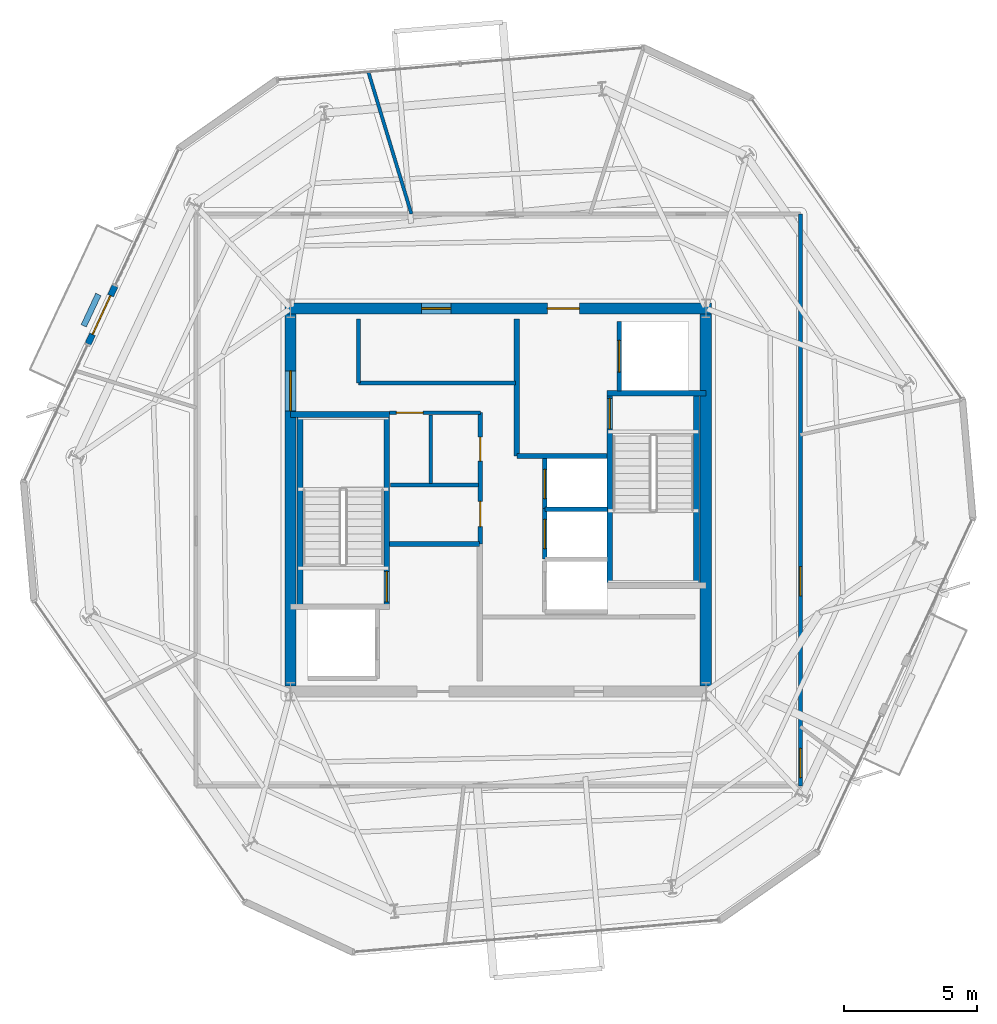
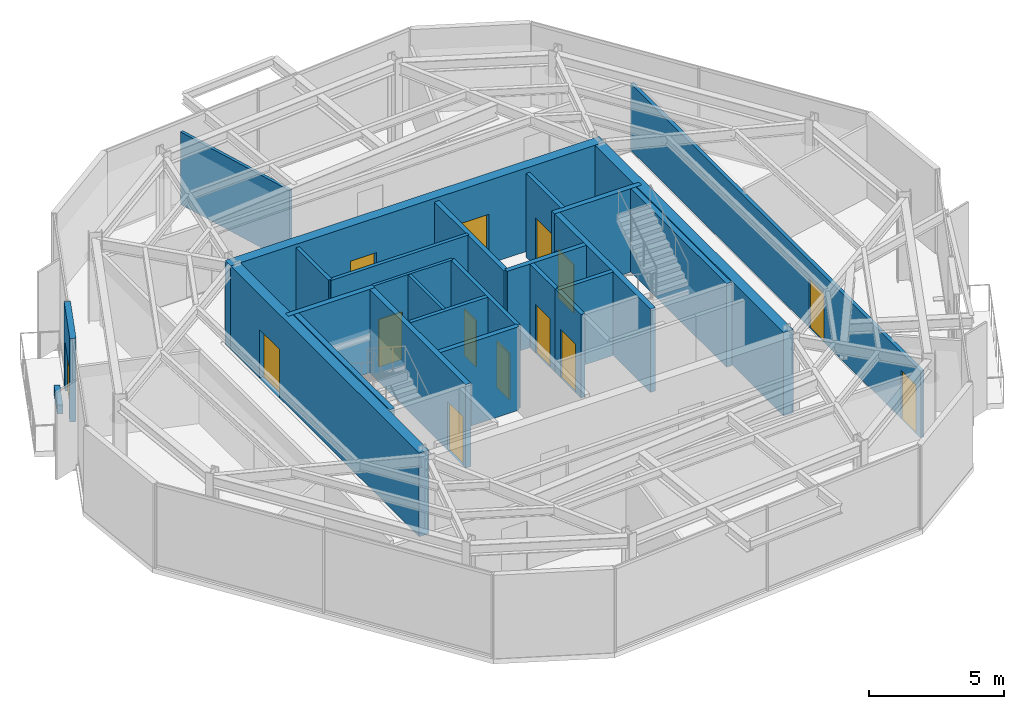
# One storey, part 6 of 11: 26 walls, 14 doors, 14 openings.
"""IFC4 building model written with IfcOpenShell, lengths in metres."""

from ifc_helpers import new_model, si_unit, direction, frame, frame_2d, origin, place, context, subcontext, project, spatial, rectangle, extrude, material, layer, layer_set, type_object, element, fill, save


model = new_model("IFC4")

# Units and contexts
model_context = context("Model", 3, precision=1e-05, world=origin(), true_north=direction((0.0, 1.0)))
body_context = subcontext(model_context, "Body", "Model", "MODEL_VIEW")
ifc_project = project(units=[si_unit("LENGTHUNIT", "METRE"), si_unit("AREAUNIT", "SQUARE_METRE"), si_unit("VOLUMEUNIT", "CUBIC_METRE"), si_unit("PLANEANGLEUNIT", "RADIAN"), si_unit("MASSUNIT", "GRAM", prefix="KILO")], contexts=[model_context])

# Site, building, storey
site_placement = place(None, origin())
site = spatial("IfcSite", under=ifc_project, at=site_placement, CompositionType="ELEMENT")
building_placement = place(site_placement, origin())
building = spatial("IfcBuilding", under=site, at=building_placement, Name="Kranzbogen Civic Tower", CompositionType="ELEMENT")
storey_placement = place(building_placement, frame((0.0, 0.0, 286.199951171875)))
storey = spatial("IfcBuildingStorey", under=building, at=storey_placement, Name="L69", CompositionType="ELEMENT", Elevation=286.199951171875)

# Walls
ifc_material_1 = material(Name="Double-Stud Acoustic Gypsum Partition")
ifc_layer_1 = layer(ifc_material_1, 0.14990234375, Name="Double-Stud Acoustic Gypsum Partition")
ifc_layer_set_1 = layer_set([ifc_layer_1], Name="Double-Stud Acoustic Gypsum Partition")
wall_type_1 = type_object("IfcWallType", Name="Acoustic Corridor and Clinical Partition 150 mm", PredefinedType="PARTITIONING", material=ifc_layer_set_1)
wall_1_placement = place(storey_placement, frame((19.75, 29.389892578125, 0.0), z_axis=(0.0, 0.0, 1.0), x_axis=(1.0, 0.0, 0.0)))
element("IfcWall", 1, at=wall_1_placement, inside=storey, type_object=wall_type_1, Name="L69 digital comms South wall", PredefinedType="PARTITIONING", context=body_context, shape_type="SweptSolid", body=[
    extrude(rectangle(XDim=5.89990234375, YDim=0.14990234375, at=frame_2d((2.949951171875, 0.0))), origin(), (0.0, 0.0, 1.0), 3.780029296875),
])
wall_2_placement = place(storey_placement, frame((19.75, 29.389892578125, 0.0), z_axis=(0.0, 0.0, 1.0), x_axis=(0.0, 1.0, 0.0)))
element("IfcWall", 2, at=wall_2_placement, inside=storey, type_object=wall_type_1, Name="L69 digital comms West wall", PredefinedType="PARTITIONING", context=body_context, shape_type="SweptSolid", body=[
    extrude(rectangle(XDim=2.41015625, YDim=0.14990234375, at=frame_2d((1.205078125, 0.0))), origin(), (0.0, 0.0, 1.0), 3.780029296875),
])

# Wall, openings, doors
wall_3_placement = place(storey_placement, frame((36.35009765625, 35.75, 0.0), z_axis=(0.0, 0.0, 1.0), x_axis=(0.0, -1.0, 0.0)))
wall_3 = element("IfcWall", 3, at=wall_3_placement, inside=storey, type_object=wall_type_1, Name="L69 corridor partition 02", PredefinedType="PARTITIONING", context=body_context, shape_type="SweptSolid", body=[
    extrude(rectangle(XDim=21.5, YDim=0.14990234375, at=frame_2d((10.75, 0.0))), origin(), (0.0, 0.0, 1.0), 3.02001953125),
])
opening_1_placement = place(wall_3_placement, frame((20.080078125, 0.0, 0.0)))
opening_1 = element("IfcOpeningElement", 4, at=opening_1_placement, cuts=wall_3, Name="Opening D-COR60", PredefinedType="OPENING", context=body_context, shape_type="SweptSolid", body=[
    extrude(rectangle(XDim=1.10009765625, YDim=2.199951171875, at=frame_2d((0.550048828125, 1.10009765625))), frame((0.0, 0.0849609375, 0.0), z_axis=(0.0, -1.0, 0.0), x_axis=(1.0, 0.0, 0.0)), (0.0, 0.0, 1.0), 0.169921875),
])
opening_2_placement = place(wall_3_placement, frame((13.256103515625, 0.0, 0.0)))
opening_2 = element("IfcOpeningElement", 5, at=opening_2_placement, cuts=wall_3, Name="Opening D-COR60", PredefinedType="OPENING", context=body_context, shape_type="SweptSolid", body=[
    extrude(rectangle(XDim=1.10009765625, YDim=2.199951171875, at=frame_2d((0.550048828125, 1.10009765625))), frame((0.0, 0.0849609375, 0.0), z_axis=(0.0, -1.0, 0.0), x_axis=(1.0, 0.0, 0.0)), (0.0, 0.0, 1.0), 0.169921875),
])
ifc_material_2 = material(Name="Oak Timber and Fire Core", Category="wood")
door_type_1 = type_object("IfcDoorType", Name="Corridor Acoustic Fire Door 1100x2200", OperationType="NOTDEFINED", PredefinedType="DOOR", material=ifc_material_2)
door_1_placement = place(opening_1_placement, origin())
door_1 = element("IfcDoor", 6, at=door_1_placement, inside=storey, type_object=door_type_1, Name="L69 Licensing Information Kiosk door", OperationType="SINGLE_SWING_RIGHT", OverallHeight=2.199951171875, OverallWidth=1.10009765625, PredefinedType="DOOR", context=body_context, shape_type="SweptSolid", body=[
    extrude(rectangle(XDim=1.10009765625, YDim=2.199951171875, at=frame_2d((0.550048828125, 1.10009765625))), frame((0.0, 0.02490234375, 0.0), z_axis=(0.0, -1.0, 0.0), x_axis=(1.0, 0.0, 0.0)), (0.0, 0.0, 1.0), 0.050048828125),
])
fill(opening_1, door_1)
door_2_placement = place(opening_2_placement, origin())
door_2 = element("IfcDoor", 7, at=door_2_placement, inside=storey, type_object=door_type_1, Name="L69 Staff Tea Pantry door", OperationType="SINGLE_SWING_LEFT", OverallHeight=2.199951171875, OverallWidth=1.10009765625, PredefinedType="DOOR", context=body_context, shape_type="SweptSolid", body=[
    extrude(rectangle(XDim=1.10009765625, YDim=2.199951171875, at=frame_2d((0.550048828125, 1.10009765625))), frame((0.0, 0.02490234375, 0.0), z_axis=(0.0, -1.0, 0.0), x_axis=(1.0, 0.0, 0.0)), (0.0, 0.0, 1.0), 0.050048828125),
])
fill(opening_2, door_2)

# Wall, opening, door
ifc_material_3 = material(Name="Insulated Metal-Stud Gypsum Partition")
ifc_layer_2 = layer(ifc_material_3, 0.125, Name="Insulated Metal-Stud Gypsum Partition")
ifc_layer_set_2 = layer_set([ifc_layer_2], Name="Insulated Metal-Stud Gypsum Partition")
wall_type_2 = type_object("IfcWallType", Name="Acoustic Inter-Room Partition 125 mm", PredefinedType="PARTITIONING", material=ifc_layer_set_2)
wall_4_placement = place(storey_placement, frame((20.919921875, 28.280029296875, 0.0), z_axis=(0.0, 0.0, 1.0), x_axis=(1.0, 0.0, 0.0)))
wall_4 = element("IfcWall", 8, at=wall_4_placement, inside=storey, type_object=wall_type_2, Name="L69 core auxiliary North wall", PredefinedType="PARTITIONING", context=body_context, shape_type="SweptSolid", body=[
    extrude(rectangle(XDim=3.405029296875, YDim=0.125, at=frame_2d((1.70263671875, 0.0))), origin(), (0.0, 0.0, 1.0), 3.780029296875),
])
opening_3_placement = place(wall_4_placement, frame((0.2548828125, 0.0, 0.0)))
opening_3 = element("IfcOpeningElement", 9, at=opening_3_placement, cuts=wall_4, Name="Opening D-RSR10", PredefinedType="OPENING", context=body_context, shape_type="SweptSolid", body=[
    extrude(rectangle(XDim=1.0, YDim=2.14990234375, at=frame_2d((0.5, 1.074951171875))), frame((0.0, 0.072509765625, 0.0), z_axis=(0.0, -1.0, 0.0), x_axis=(1.0, 0.0, 0.0)), (0.0, 0.0, 1.0), 0.14501953125),
])
door_type_2 = type_object("IfcDoorType", Name="Core Archive and Riser Fire Door 1000x2150", OperationType="NOTDEFINED", PredefinedType="DOOR", material=ifc_material_2)
door_3_placement = place(opening_3_placement, origin())
door_3 = element("IfcDoor", 10, at=door_3_placement, inside=storey, type_object=door_type_2, Name="L69 Telecom and Riser Room door", OperationType="SINGLE_SWING_RIGHT", OverallHeight=2.14990234375, OverallWidth=1.0, PredefinedType="DOOR", context=body_context, shape_type="SweptSolid", body=[
    extrude(rectangle(XDim=1.0, YDim=2.14990234375, at=frame_2d((0.5, 1.074951171875))), frame((0.0, 0.02490234375, 0.0), z_axis=(0.0, -1.0, 0.0), x_axis=(1.0, 0.0, 0.0)), (0.0, 0.0, 1.0), 0.050048828125),
])
fill(opening_3, door_3)

# Walls
wall_5_placement = place(storey_placement, frame((22.4599609375, 25.6201171875, 0.0), z_axis=(0.0, 0.0, 1.0), x_axis=(0.0, 1.0, 0.0)))
element("IfcWall", 11, at=wall_5_placement, inside=storey, type_object=wall_type_2, Name="L69 core auxiliary partition 2", PredefinedType="PARTITIONING", context=body_context, shape_type="SweptSolid", body=[
    extrude(rectangle(XDim=2.579833984375, YDim=0.125, at=frame_2d((1.2900390625, 0.0))), origin(), (0.0, 0.0, 1.0), 3.780029296875),
])
wall_6_placement = place(storey_placement, frame((21.738037109375, 35.75, 0.0), z_axis=(0.0, 0.0, 1.0), x_axis=(-0.290201338229, 0.956965612387, 0.0)))
element("IfcWall", 12, at=wall_6_placement, inside=storey, type_object=wall_type_2, Name="L69 radial room partition 01", PredefinedType="PARTITIONING", context=body_context, shape_type="SweptSolid", body=[
    extrude(rectangle(XDim=5.554931640625, YDim=0.125, at=frame_2d((2.77734375, 0.0))), origin(), (0.0, 0.0, 1.0), 3.280029296875),
])
ifc_material_4 = material(Name="Architectural Precast Terracotta Concrete C40/50", Category="masonry")
ifc_layer_3 = layer(ifc_material_4, 0.219970703125, Name="Architectural Precast Terracotta Concrete C40/50")
ifc_layer_set_3 = layer_set([ifc_layer_3], Name="Architectural Precast Terracotta Concrete C40/50")
wall_type_3 = type_object("IfcWallType", Name="Architectural Tree Planter Kerb Wall 220 mm", PredefinedType="USERDEFINED", material=ifc_layer_set_3)
wall_7_placement = place(storey_placement, frame((9.97705078125, 32.722900390625, 0.0), z_axis=(0.0, 0.0, 1.0), x_axis=(-0.423091064029, -0.90608716553, 0.0)))
element("IfcWall", 13, at=wall_7_placement, inside=storey, type_object=wall_type_3, Name="L69 landscaped tree balcony planter L69-TB2", ObjectType="PLANTER_WALL", PredefinedType="USERDEFINED", context=body_context, shape_type="SweptSolid", body=[
    extrude(rectangle(XDim=1.300048828125, YDim=0.219970703125, at=frame_2d((0.64990234375, 0.0))), origin(), (0.0, 0.0, 1.0), 0.400146484375),
])

# Wall, openings, doors
ifc_material_5 = material(Name="Concrete C45/55", Category="concrete")
ifc_layer_4 = layer(ifc_material_5, 0.419921875, Name="Concrete C45/55")
ifc_layer_set_4 = layer_set([ifc_layer_4], Name="Concrete C45/55")
wall_type_4 = type_object("IfcWallType", Name="Central Core Shear Wall 420 mm", PredefinedType="SHEAR", material=ifc_layer_set_4)
wall_8_placement = place(storey_placement, frame((33.010009765625, 32.199951171875, 0.0), z_axis=(0.0, 0.0, 1.0), x_axis=(-1.0, 0.0, 0.0)))
wall_8 = element("IfcWall", 14, at=wall_8_placement, inside=storey, type_object=wall_type_4, Name="L69 central core North shear wall", PredefinedType="SHEAR", context=body_context, shape_type="SweptSolid", body=[
    extrude(rectangle(XDim=16.02001953125, YDim=0.419921875, at=frame_2d((8.010009765625, 0.0))), origin(), (0.0, 0.0, 1.0), 3.780029296875),
])
opening_4_placement = place(wall_8_placement, frame((4.9599609375, 0.0, 0.0)))
opening_4 = element("IfcOpeningElement", 15, at=opening_4_placement, cuts=wall_8, Name="Opening D-EX120", PredefinedType="OPENING", context=body_context, shape_type="SweptSolid", body=[
    extrude(rectangle(XDim=1.199951171875, YDim=2.25, at=frame_2d((0.60009765625, 1.125))), frame((0.0, 0.219970703125, 0.0), z_axis=(0.0, -1.0, 0.0), x_axis=(1.0, 0.0, 0.0)), (0.0, 0.0, 1.0), 0.43994140625),
])
opening_5_placement = place(wall_8_placement, frame((9.784912109375, 0.0, 0.0)))
opening_5 = element("IfcOpeningElement", 16, at=opening_5_placement, cuts=wall_8, Name="Opening D-COR60", PredefinedType="OPENING", context=body_context, shape_type="SweptSolid", body=[
    extrude(rectangle(XDim=1.10009765625, YDim=2.199951171875, at=frame_2d((0.550048828125, 1.10009765625))), frame((0.0, 0.219970703125, 0.0), z_axis=(0.0, -1.0, 0.0), x_axis=(1.0, 0.0, 0.0)), (0.0, 0.0, 1.0), 0.43994140625),
])
door_4_placement = place(opening_5_placement, origin())
door_4 = element("IfcDoor", 17, at=door_4_placement, inside=storey, type_object=door_type_1, Name="L69 DAT1 comms room door", OperationType="SINGLE_SWING_LEFT", OverallHeight=2.199951171875, OverallWidth=1.10009765625, PredefinedType="DOOR", context=body_context, shape_type="SweptSolid", body=[
    extrude(rectangle(XDim=1.10009765625, YDim=2.199951171875, at=frame_2d((0.550048828125, 1.10009765625))), frame((0.0, 0.02490234375, 0.0), z_axis=(0.0, -1.0, 0.0), x_axis=(1.0, 0.0, 0.0)), (0.0, 0.0, 1.0), 0.050048828125),
])
fill(opening_5, door_4)
ifc_material_6 = material(Name="Steel S355", Category="steel")
door_type_3 = type_object("IfcDoorType", Name="Exit Passageway Fire Door 1200x2250", OperationType="NOTDEFINED", PredefinedType="DOOR", material=ifc_material_6)
door_5_placement = place(opening_4_placement, origin())
door_5 = element("IfcDoor", 18, at=door_5_placement, inside=storey, type_object=door_type_3, Name="L69 East firefighting lobby corridor door", OperationType="SINGLE_SWING_RIGHT", OverallHeight=2.25, OverallWidth=1.199951171875, PredefinedType="DOOR", context=body_context, shape_type="SweptSolid", body=[
    extrude(rectangle(XDim=1.199951171875, YDim=2.25, at=frame_2d((0.60009765625, 1.125))), frame((0.0, 0.02490234375, 0.0), z_axis=(0.0, -1.0, 0.0), x_axis=(1.0, 0.0, 0.0)), (0.0, 0.0, 1.0), 0.050048828125),
])
fill(opening_4, door_5)

# Wall, opening, door
wall_9_placement = place(storey_placement, frame((17.199951171875, 31.989990234375, 0.0), z_axis=(0.0, 0.0, 1.0), x_axis=(0.0, -1.0, 0.0)))
wall_9 = element("IfcWall", 19, at=wall_9_placement, inside=storey, type_object=wall_type_4, Name="L69 central core West shear wall", PredefinedType="SHEAR", context=body_context, shape_type="SweptSolid", body=[
    extrude(rectangle(XDim=13.97998046875, YDim=0.419921875, at=frame_2d((6.989990234375, 0.0))), origin(), (0.0, 0.0, 1.0), 3.780029296875),
])
opening_6_placement = place(wall_9_placement, frame((2.139892578125, 0.0, 0.0)))
opening_6 = element("IfcOpeningElement", 20, at=opening_6_placement, cuts=wall_9, Name="Opening D-DBL15", PredefinedType="OPENING", context=body_context, shape_type="SweptSolid", body=[
    extrude(rectangle(XDim=1.5, YDim=2.199951171875, at=frame_2d((0.75, 1.10009765625))), frame((0.0, 0.219970703125, 0.0), z_axis=(0.0, -1.0, 0.0), x_axis=(1.0, 0.0, 0.0)), (0.0, 0.0, 1.0), 0.43994140625),
])
ifc_material_7 = material(Name="Anodised Bronze and Glass", Category="glass")
door_type_4 = type_object("IfcDoorType", Name="Civic Lobby Double Door 1500x2200", OperationType="DOUBLE_DOOR_SINGLE_SWING", PredefinedType="DOOR", material=ifc_material_7)
door_6_placement = place(opening_6_placement, origin())
door_6 = element("IfcDoor", 21, at=door_6_placement, inside=storey, type_object=door_type_4, Name="L69 Central Lift Lobby West concourse door", OperationType="DOUBLE_DOOR_SINGLE_SWING", OverallHeight=2.199951171875, OverallWidth=1.5, PredefinedType="DOOR", context=body_context, shape_type="SweptSolid", body=[
    extrude(rectangle(XDim=1.5, YDim=2.199951171875, at=frame_2d((0.75, 1.10009765625))), frame((0.0, 0.02490234375, 0.0), z_axis=(0.0, -1.0, 0.0), x_axis=(1.0, 0.0, 0.0)), (0.0, 0.0, 1.0), 0.050048828125),
])
fill(opening_6, door_6)

# Wall
wall_10_placement = place(storey_placement, frame((32.800048828125, 18.010009765625, 0.0), z_axis=(0.0, 0.0, 1.0), x_axis=(0.0, 1.0, 0.0)))
element("IfcWall", 22, at=wall_10_placement, inside=storey, type_object=wall_type_4, Name="L69 central core East shear wall", PredefinedType="SHEAR", context=body_context, shape_type="SweptSolid", body=[
    extrude(rectangle(XDim=13.97998046875, YDim=0.419921875, at=frame_2d((6.989990234375, 0.0))), origin(), (0.0, 0.0, 1.0), 3.780029296875),
])

# Wall, opening, door
ifc_layer_5 = layer(ifc_material_5, 0.219970703125, Name="Concrete C45/55")
ifc_layer_set_5 = layer_set([ifc_layer_5], Name="Concrete C45/55")
wall_type_5 = type_object("IfcWallType", Name="Core Internal Stair Structural Wall 220 mm", PredefinedType="SOLIDWALL", material=ifc_layer_set_5)
wall_11_placement = place(storey_placement, frame((20.81005859375, 20.989990234375, 0.0), z_axis=(0.0, 0.0, 1.0), x_axis=(0.0, 1.0, 0.0)))
wall_11 = element("IfcWall", 23, at=wall_11_placement, inside=storey, type_object=wall_type_5, Name="L69 ST-T1 East structural stair wall", PredefinedType="SOLIDWALL", context=body_context, shape_type="SweptSolid", body=[
    extrude(rectangle(XDim=7.219970703125, YDim=0.219970703125, at=frame_2d((3.60986328125, 0.0))), origin(), (0.0, 0.0, 1.0), 3.780029296875),
])
opening_7_placement = place(wall_11_placement, frame((0.179931640625, 0.0, 0.0)))
opening_7 = element("IfcOpeningElement", 24, at=opening_7_placement, cuts=wall_11, Name="Opening D-ST90", PredefinedType="OPENING", context=body_context, shape_type="SweptSolid", body=[
    extrude(rectangle(XDim=1.14990234375, YDim=2.199951171875, at=frame_2d((0.574951171875, 1.10009765625))), frame((0.0, 0.1201171875, 0.0), z_axis=(0.0, -1.0, 0.0), x_axis=(1.0, 0.0, 0.0)), (0.0, 0.0, 1.0), 0.239990234375),
])
door_type_5 = type_object("IfcDoorType", Name="Pressurized Stair and Lobby Fire Door 1150x2200", OperationType="NOTDEFINED", PredefinedType="DOOR", material=ifc_material_6)
door_7_placement = place(opening_7_placement, origin())
door_7 = element("IfcDoor", 25, at=door_7_placement, inside=storey, type_object=door_type_5, Name="L69 Stair ST-T1 fire door", OperationType="SINGLE_SWING_LEFT", OverallHeight=2.199951171875, OverallWidth=1.14990234375, PredefinedType="DOOR", context=body_context, shape_type="SweptSolid", body=[
    extrude(rectangle(XDim=1.14990234375, YDim=2.199951171875, at=frame_2d((0.574951171875, 1.10009765625))), frame((0.0, 0.02490234375, 0.0), z_axis=(0.0, -1.0, 0.0), x_axis=(1.0, 0.0, 0.0)), (0.0, 0.0, 1.0), 0.050048828125),
])
fill(opening_7, door_7)

# Walls
wall_12_placement = place(storey_placement, frame((17.199951171875, 28.2099609375, 0.0), z_axis=(0.0, 0.0, 1.0), x_axis=(1.0, 0.0, 0.0)))
element("IfcWall", 26, at=wall_12_placement, inside=storey, type_object=wall_type_5, Name="L69 ST-T1 North structural stair wall", PredefinedType="SOLIDWALL", context=body_context, shape_type="SweptSolid", body=[
    extrude(rectangle(XDim=3.719970703125, YDim=0.219970703125, at=frame_2d((1.85986328125, 0.0))), origin(), (0.0, 0.0, 1.0), 3.780029296875),
])
wall_13_placement = place(storey_placement, frame((17.554931640625, 28.2099609375, 0.0), z_axis=(0.0, 0.0, 1.0), x_axis=(0.0, -1.0, 0.0)))
element("IfcWall", 27, at=wall_13_placement, inside=storey, type_object=wall_type_5, Name="L69 ST-T1 West structural stair wall", PredefinedType="SOLIDWALL", context=body_context, shape_type="SweptSolid", body=[
    extrude(rectangle(XDim=7.219970703125, YDim=0.219970703125, at=frame_2d((3.60986328125, 0.0))), origin(), (0.0, 0.0, 1.0), 3.780029296875),
])

# Wall, opening, door
wall_14_placement = place(storey_placement, frame((29.18994140625, 21.7900390625, 0.0), z_axis=(0.0, 0.0, 1.0), x_axis=(0.0, 1.0, 0.0)))
wall_14 = element("IfcWall", 28, at=wall_14_placement, inside=storey, type_object=wall_type_5, Name="L69 ST-T2 West structural stair wall", PredefinedType="SOLIDWALL", context=body_context, shape_type="SweptSolid", body=[
    extrude(rectangle(XDim=7.219970703125, YDim=0.219970703125, at=frame_2d((3.60986328125, 0.0))), origin(), (0.0, 0.0, 1.0), 3.780029296875),
])
opening_8_placement = place(wall_14_placement, frame((5.8798828125, 0.0, 0.0)))
opening_8 = element("IfcOpeningElement", 29, at=opening_8_placement, cuts=wall_14, Name="Opening D-ST90", PredefinedType="OPENING", context=body_context, shape_type="SweptSolid", body=[
    extrude(rectangle(XDim=1.14990234375, YDim=2.199951171875, at=frame_2d((0.574951171875, 1.10009765625))), frame((0.0, 0.1201171875, 0.0), z_axis=(0.0, -1.0, 0.0), x_axis=(1.0, 0.0, 0.0)), (0.0, 0.0, 1.0), 0.239990234375),
])
door_8_placement = place(opening_8_placement, origin())
door_8 = element("IfcDoor", 30, at=door_8_placement, inside=storey, type_object=door_type_5, Name="L69 Stair ST-T2 fire door", OperationType="SINGLE_SWING_RIGHT", OverallHeight=2.199951171875, OverallWidth=1.14990234375, PredefinedType="DOOR", context=body_context, shape_type="SweptSolid", body=[
    extrude(rectangle(XDim=1.14990234375, YDim=2.199951171875, at=frame_2d((0.574951171875, 1.10009765625))), frame((0.0, 0.02490234375, 0.0), z_axis=(0.0, -1.0, 0.0), x_axis=(1.0, 0.0, 0.0)), (0.0, 0.0, 1.0), 0.050048828125),
])
fill(opening_8, door_8)

# Walls
wall_15_placement = place(storey_placement, frame((29.080078125, 29.010009765625, 0.0), z_axis=(0.0, 0.0, 1.0), x_axis=(1.0, 0.0, 0.0)))
element("IfcWall", 31, at=wall_15_placement, inside=storey, type_object=wall_type_5, Name="L69 ST-T2 North structural stair wall", PredefinedType="SOLIDWALL", context=body_context, shape_type="SweptSolid", body=[
    extrude(rectangle(XDim=3.719970703125, YDim=0.219970703125, at=frame_2d((1.85986328125, 0.0))), origin(), (0.0, 0.0, 1.0), 3.780029296875),
])
wall_16_placement = place(storey_placement, frame((32.445068359375, 29.010009765625, 0.0), z_axis=(0.0, 0.0, 1.0), x_axis=(0.0, -1.0, 0.0)))
element("IfcWall", 32, at=wall_16_placement, inside=storey, type_object=wall_type_5, Name="L69 ST-T2 East structural stair wall", PredefinedType="SOLIDWALL", context=body_context, shape_type="SweptSolid", body=[
    extrude(rectangle(XDim=7.219970703125, YDim=0.219970703125, at=frame_2d((3.60986328125, 0.0))), origin(), (0.0, 0.0, 1.0), 3.780029296875),
])
ifc_material_8 = material(Name="Gypsum Fireboard and Concrete Block", Category="concrete")
ifc_layer_6 = layer(ifc_material_8, 0.199951171875, Name="Gypsum Fireboard and Concrete Block")
ifc_layer_set_6 = layer_set([ifc_layer_6], Name="Gypsum Fireboard and Concrete Block")
wall_type_6 = type_object("IfcWallType", Name="Fire-Rated Exit Passageway and Stair Wall 200 mm", PredefinedType="PARTITIONING", material=ifc_layer_set_6)
wall_17_placement = place(storey_placement, frame((20.919921875, 23.35009765625, 0.0), z_axis=(0.0, 0.0, 1.0), x_axis=(1.0, 0.0, 0.0)))
element("IfcWall", 33, at=wall_17_placement, inside=storey, type_object=wall_type_6, Name="L69 West firefighting lobby North wall", PredefinedType="PARTITIONING", context=body_context, shape_type="SweptSolid", body=[
    extrude(rectangle(XDim=3.380126953125, YDim=0.199951171875, at=frame_2d((1.68994140625, 0.0))), origin(), (0.0, 0.0, 1.0), 3.780029296875),
])
wall_18_placement = place(storey_placement, frame((25.699951171875, 26.64990234375, 0.0), z_axis=(0.0, 0.0, 1.0), x_axis=(0.0, 1.0, 0.0)))
element("IfcWall", 34, at=wall_18_placement, inside=storey, type_object=wall_type_6, Name="L69 East firefighting lobby West wall", PredefinedType="PARTITIONING", context=body_context, shape_type="SweptSolid", body=[
    extrude(rectangle(XDim=5.150146484375, YDim=0.199951171875, at=frame_2d((2.5751953125, 0.0))), origin(), (0.0, 0.0, 1.0), 3.780029296875),
])
wall_19_placement = place(storey_placement, frame((25.699951171875, 26.64990234375, 0.0), z_axis=(0.0, 0.0, 1.0), x_axis=(1.0, 0.0, 0.0)))
element("IfcWall", 35, at=wall_19_placement, inside=storey, type_object=wall_type_6, Name="L69 East firefighting lobby South wall", PredefinedType="PARTITIONING", context=body_context, shape_type="SweptSolid", body=[
    extrude(rectangle(XDim=3.380126953125, YDim=0.199951171875, at=frame_2d((1.68994140625, 0.0))), origin(), (0.0, 0.0, 1.0), 3.780029296875),
])

# Wall, opening, door
ifc_material_9 = material(Name="Gypsum Fireboard Shaftliner")
ifc_layer_7 = layer(ifc_material_9, 0.175048828125, Name="Gypsum Fireboard Shaftliner")
ifc_layer_set_7 = layer_set([ifc_layer_7], Name="Gypsum Fireboard Shaftliner")
wall_type_7 = type_object("IfcWallType", Name="Fire-Rated Lift and Service Shaft Wall 175 mm", PredefinedType="PARTITIONING", material=ifc_layer_set_7)
wall_20_placement = place(storey_placement, frame((26.75, 22.77490234375, 0.0), z_axis=(0.0, 0.0, 1.0), x_axis=(0.0, 1.0, 0.0)))
wall_20 = element("IfcWall", 36, at=wall_20_placement, inside=storey, type_object=wall_type_7, Name="L69 lift HP-02 landing wall", PredefinedType="PARTITIONING", context=body_context, shape_type="SweptSolid", body=[
    extrude(rectangle(XDim=1.900146484375, YDim=0.175048828125, at=frame_2d((0.9501953125, 0.0))), origin(), (0.0, 0.0, 1.0), 3.780029296875),
])
opening_9_placement = place(wall_20_placement, frame((0.39990234375, 0.0, 0.0)))
opening_9 = element("IfcOpeningElement", 37, at=opening_9_placement, cuts=wall_20, Name="Opening LD-HP-02", PredefinedType="OPENING", context=body_context, shape_type="SweptSolid", body=[
    extrude(rectangle(XDim=1.10009765625, YDim=2.199951171875, at=frame_2d((0.550048828125, 1.10009765625))), frame((0.0, 0.09765625, 0.0), z_axis=(0.0, -1.0, 0.0), x_axis=(1.0, 0.0, 0.0)), (0.0, 0.0, 1.0), 0.195068359375),
])
ifc_material_10 = material(Name="Pale Anodised Aluminium", Category="aluminium")
door_type_6 = type_object("IfcDoorType", Name="Passenger Lift Sliding Landing Door 1100x2200", OperationType="DOUBLE_DOOR_SLIDING", PredefinedType="DOOR", material=ifc_material_10)
door_9_placement = place(opening_9_placement, origin())
door_9 = element("IfcDoor", 38, at=door_9_placement, inside=storey, type_object=door_type_6, Name="L69 lift HP-02 sliding landing door", OperationType="DOUBLE_DOOR_SLIDING", OverallHeight=2.199951171875, OverallWidth=1.10009765625, PredefinedType="DOOR", context=body_context, shape_type="SweptSolid", body=[
    extrude(rectangle(XDim=1.10009765625, YDim=2.199951171875, at=frame_2d((0.550048828125, 1.10009765625))), frame((0.0, 0.02490234375, 0.0), z_axis=(0.0, -1.0, 0.0), x_axis=(1.0, 0.0, 0.0)), (0.0, 0.0, 1.0), 0.050048828125),
])
fill(opening_9, door_9)

wall_21_placement = place(storey_placement, frame((26.75, 24.64990234375, 0.0), z_axis=(0.0, 0.0, 1.0), x_axis=(0.0, 1.0, 0.0)))
wall_21 = element("IfcWall", 39, at=wall_21_placement, inside=storey, type_object=wall_type_7, Name="L69 lift HP-03 landing wall", PredefinedType="PARTITIONING", context=body_context, shape_type="SweptSolid", body=[
    extrude(rectangle(XDim=1.900146484375, YDim=0.175048828125, at=frame_2d((0.9501953125, 0.0))), origin(), (0.0, 0.0, 1.0), 3.780029296875),
])
opening_10_placement = place(wall_21_placement, frame((0.39990234375, 0.0, 0.0)))
opening_10 = element("IfcOpeningElement", 40, at=opening_10_placement, cuts=wall_21, Name="Opening LD-HP-03", PredefinedType="OPENING", context=body_context, shape_type="SweptSolid", body=[
    extrude(rectangle(XDim=1.10009765625, YDim=2.199951171875, at=frame_2d((0.550048828125, 1.10009765625))), frame((0.0, 0.09765625, 0.0), z_axis=(0.0, -1.0, 0.0), x_axis=(1.0, 0.0, 0.0)), (0.0, 0.0, 1.0), 0.195068359375),
])
door_10_placement = place(opening_10_placement, origin())
door_10 = element("IfcDoor", 41, at=door_10_placement, inside=storey, type_object=door_type_6, Name="L69 lift HP-03 sliding landing door", OperationType="DOUBLE_DOOR_SLIDING", OverallHeight=2.199951171875, OverallWidth=1.10009765625, PredefinedType="DOOR", context=body_context, shape_type="SweptSolid", body=[
    extrude(rectangle(XDim=1.10009765625, YDim=2.199951171875, at=frame_2d((0.550048828125, 1.10009765625))), frame((0.0, 0.02490234375, 0.0), z_axis=(0.0, -1.0, 0.0), x_axis=(1.0, 0.0, 0.0)), (0.0, 0.0, 1.0), 0.050048828125),
])
fill(opening_10, door_10)

# Wall
wall_22_placement = place(storey_placement, frame((26.75, 24.64990234375, 0.0), z_axis=(0.0, 0.0, 1.0), x_axis=(1.0, 0.0, 0.0)))
element("IfcWall", 42, at=wall_22_placement, inside=storey, type_object=wall_type_7, Name="L69 lift HP-03 side wall", PredefinedType="PARTITIONING", context=body_context, shape_type="SweptSolid", body=[
    extrude(rectangle(XDim=2.35009765625, YDim=0.175048828125, at=frame_2d((1.175048828125, 0.0))), origin(), (0.0, 0.0, 1.0), 3.780029296875),
])

# Wall, opening, door
wall_23_placement = place(storey_placement, frame((29.550048828125, 29.10009765625, 0.0), z_axis=(0.0, 0.0, 1.0), x_axis=(0.0, 1.0, 0.0)))
wall_23 = element("IfcWall", 43, at=wall_23_placement, inside=storey, type_object=wall_type_7, Name="L69 lift FF-02 landing wall", PredefinedType="PARTITIONING", context=body_context, shape_type="SweptSolid", body=[
    extrude(rectangle(XDim=2.599853515625, YDim=0.175048828125, at=frame_2d((1.2998046875, 0.0))), origin(), (0.0, 0.0, 1.0), 3.780029296875),
])
opening_11_placement = place(wall_23_placement, frame((0.699951171875, 0.0, 0.0)))
opening_11 = element("IfcOpeningElement", 44, at=opening_11_placement, cuts=wall_23, Name="Opening LD-FF-02", PredefinedType="OPENING", context=body_context, shape_type="SweptSolid", body=[
    extrude(rectangle(XDim=1.199951171875, YDim=2.199951171875, at=frame_2d((0.60009765625, 1.10009765625))), frame((0.0, 0.09765625, 0.0), z_axis=(0.0, -1.0, 0.0), x_axis=(1.0, 0.0, 0.0)), (0.0, 0.0, 1.0), 0.195068359375),
])
door_type_7 = type_object("IfcDoorType", Name="Firefighting and Stretcher Lift Sliding Landing Door 1200x2200", OperationType="DOUBLE_DOOR_SLIDING", PredefinedType="DOOR", material=ifc_material_10)
door_11_placement = place(opening_11_placement, origin())
door_11 = element("IfcDoor", 45, at=door_11_placement, inside=storey, type_object=door_type_7, Name="L69 lift FF-02 sliding landing door", OperationType="DOUBLE_DOOR_SLIDING", OverallHeight=2.199951171875, OverallWidth=1.199951171875, PredefinedType="DOOR", context=body_context, shape_type="SweptSolid", body=[
    extrude(rectangle(XDim=1.199951171875, YDim=2.199951171875, at=frame_2d((0.60009765625, 1.10009765625))), frame((0.0, 0.02490234375, 0.0), z_axis=(0.0, -1.0, 0.0), x_axis=(1.0, 0.0, 0.0)), (0.0, 0.0, 1.0), 0.050048828125),
])
fill(opening_11, door_11)

ifc_layer_8 = layer(ifc_material_10, 0.239990234375, Name="Pale Anodised Aluminium")
ifc_layer_set_8 = layer_set([ifc_layer_8], Name="Pale Anodised Aluminium")
wall_type_8 = type_object("IfcWallType", Name="Insulated Aluminium Facade Portal Wall 240 mm", PredefinedType="STANDARD", material=ifc_layer_set_8)
wall_24_placement = place(storey_placement, frame((10.60205078125, 33.0380859375, 0.0), z_axis=(0.0, 0.0, 1.0), x_axis=(-0.422590274694, -0.906320837085, 0.0)))
wall_24 = element("IfcWall", 46, at=wall_24_placement, inside=storey, type_object=wall_type_8, Name="L69 exterior entrance portal wall 1", PredefinedType="STANDARD", context=body_context, shape_type="SweptSolid", body=[
    extrude(rectangle(XDim=2.39990234375, YDim=0.239990234375, at=frame_2d((1.199951171875, 0.0))), origin(), (0.0, 0.0, 1.0), 3.780029296875),
])
opening_12_placement = place(wall_24_placement, frame((0.39990234375, 0.0, 0.0)))
opening_12 = element("IfcOpeningElement", 47, at=opening_12_placement, cuts=wall_24, Name="Opening D-TER", PredefinedType="OPENING", context=body_context, shape_type="SweptSolid", body=[
    extrude(rectangle(XDim=1.60009765625, YDim=2.25, at=frame_2d((0.800048828125, 1.125))), frame((0.0, 0.1298828125, 0.0), z_axis=(0.0, -1.0, 0.0), x_axis=(1.0, 0.0, 0.0)), (0.0, 0.0, 1.0), 0.260009765625),
])
ifc_material_11 = material(Name="Anodised Bronze and Triple Glass", Category="glass")
door_type_8 = type_object("IfcDoorType", Name="Glazed Terrace and Balcony Double Door 1600x2250", OperationType="DOUBLE_DOOR_SINGLE_SWING", PredefinedType="DOOR", material=ifc_material_11)
door_12_placement = place(opening_12_placement, frame((1.60009765625, 0.0, 0.0), z_axis=(0.0, 0.0, 1.0), x_axis=(-1.0, 0.0, 0.0)))
door_12 = element("IfcDoor", 48, at=door_12_placement, inside=storey, type_object=door_type_8, Name="L69 tree balcony access door L69-TB2", OperationType="DOUBLE_DOOR_SINGLE_SWING", OverallHeight=2.25, OverallWidth=1.60009765625, PredefinedType="DOOR", context=body_context, shape_type="SweptSolid", body=[
    extrude(rectangle(XDim=1.60009765625, YDim=2.25, at=frame_2d((0.800048828125, 1.125))), frame((0.0, 0.02490234375, 0.0), z_axis=(0.0, -1.0, 0.0), x_axis=(1.0, 0.0, 0.0)), (0.0, 0.0, 1.0), 0.050048828125),
])
fill(opening_12, door_12)

# Wall, openings, doors
ifc_material_12 = material(Name="Moisture-Resistant Gypsum Assembly")
ifc_layer_9 = layer(ifc_material_12, 0.159912109375, Name="Moisture-Resistant Gypsum Assembly")
ifc_layer_set_9 = layer_set([ifc_layer_9], Name="Moisture-Resistant Gypsum Assembly")
wall_type_9 = type_object("IfcWallType", Name="Sanitary and Plumbing Wet Wall 160 mm", PredefinedType="PLUMBINGWALL", material=ifc_layer_set_9)
wall_25_placement = place(storey_placement, frame((24.324951171875, 23.35009765625, 0.0), z_axis=(0.0, 0.0, 1.0), x_axis=(0.0, 1.0, 0.0)))
wall_25 = element("IfcWall", 49, at=wall_25_placement, inside=storey, type_object=wall_type_9, Name="L69 core auxiliary East wall", PredefinedType="PLUMBINGWALL", context=body_context, shape_type="SweptSolid", body=[
    extrude(rectangle(XDim=4.929931640625, YDim=0.159912109375, at=frame_2d((2.46484375, 0.0))), origin(), (0.0, 0.0, 1.0), 3.780029296875),
])
opening_13_placement = place(wall_25_placement, frame((0.64990234375, 0.0, 0.0)))
opening_13 = element("IfcOpeningElement", 50, at=opening_13_placement, cuts=wall_25, Name="Opening D-AWC95", PredefinedType="OPENING", context=body_context, shape_type="SweptSolid", body=[
    extrude(rectangle(XDim=0.949951171875, YDim=2.10009765625, at=frame_2d((0.47509765625, 1.050048828125))), frame((0.0, 0.08984375, 0.0), z_axis=(0.0, -1.0, 0.0), x_axis=(1.0, 0.0, 0.0)), (0.0, 0.0, 1.0), 0.179931640625),
])
opening_14_placement = place(wall_25_placement, frame((3.110107421875, 0.0, 0.0)))
opening_14 = element("IfcOpeningElement", 51, at=opening_14_placement, cuts=wall_25, Name="Opening D-WC90", PredefinedType="OPENING", context=body_context, shape_type="SweptSolid", body=[
    extrude(rectangle(XDim=0.89990234375, YDim=2.10009765625, at=frame_2d((0.449951171875, 1.050048828125))), frame((0.0, 0.08984375, 0.0), z_axis=(0.0, -1.0, 0.0), x_axis=(1.0, 0.0, 0.0)), (0.0, 0.0, 1.0), 0.179931640625),
])
ifc_material_13 = material(Name="Moisture-Resistant Laminate")
door_type_9 = type_object("IfcDoorType", Name="Accessible Restroom Door 950x2100", OperationType="NOTDEFINED", PredefinedType="DOOR", material=ifc_material_13)
door_13_placement = place(opening_13_placement, origin())
door_13 = element("IfcDoor", 52, at=door_13_placement, inside=storey, type_object=door_type_9, Name="L69 Accessible Restroom door", OperationType="SINGLE_SWING_LEFT", OverallHeight=2.10009765625, OverallWidth=0.949951171875, PredefinedType="DOOR", context=body_context, shape_type="SweptSolid", body=[
    extrude(rectangle(XDim=0.949951171875, YDim=2.10009765625, at=frame_2d((0.47509765625, 1.050048828125))), frame((0.0, 0.02490234375, 0.0), z_axis=(0.0, -1.0, 0.0), x_axis=(1.0, 0.0, 0.0)), (0.0, 0.0, 1.0), 0.050048828125),
])
fill(opening_13, door_13)
door_type_10 = type_object("IfcDoorType", Name="Standard Restroom and Store Door 900x2100", OperationType="NOTDEFINED", PredefinedType="DOOR", material=ifc_material_13)
door_14_placement = place(opening_14_placement, origin())
door_14 = element("IfcDoor", 53, at=door_14_placement, inside=storey, type_object=door_type_10, Name="L69 Staff Restroom door", OperationType="SINGLE_SWING_LEFT", OverallHeight=2.10009765625, OverallWidth=0.89990234375, PredefinedType="DOOR", context=body_context, shape_type="SweptSolid", body=[
    extrude(rectangle(XDim=0.89990234375, YDim=2.10009765625, at=frame_2d((0.449951171875, 1.050048828125))), frame((0.0, 0.02490234375, 0.0), z_axis=(0.0, -1.0, 0.0), x_axis=(1.0, 0.0, 0.0)), (0.0, 0.0, 1.0), 0.050048828125),
])
fill(opening_14, door_14)

# Wall
wall_26_placement = place(storey_placement, frame((20.949951171875, 25.56005859375, 0.0), z_axis=(0.0, 0.0, 1.0), x_axis=(1.0, 0.0, 0.0)))
element("IfcWall", 54, at=wall_26_placement, inside=storey, type_object=wall_type_9, Name="L69 core auxiliary partition 1", PredefinedType="PLUMBINGWALL", context=body_context, shape_type="SweptSolid", body=[
    extrude(rectangle(XDim=3.300048828125, YDim=0.159912109375, at=frame_2d((1.64990234375, 0.0))), origin(), (0.0, 0.0, 1.0), 3.780029296875),
])

save(model, "model.ifc")
